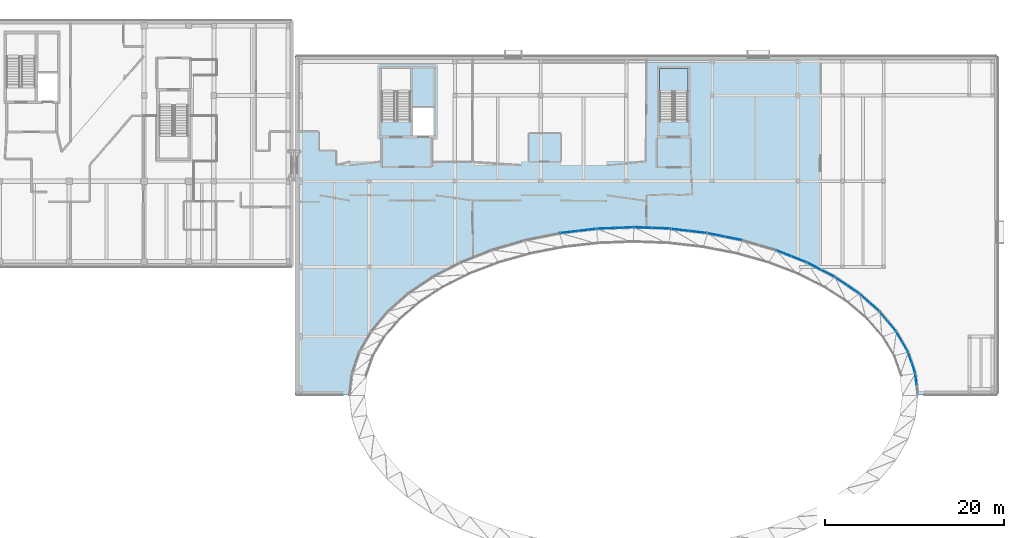
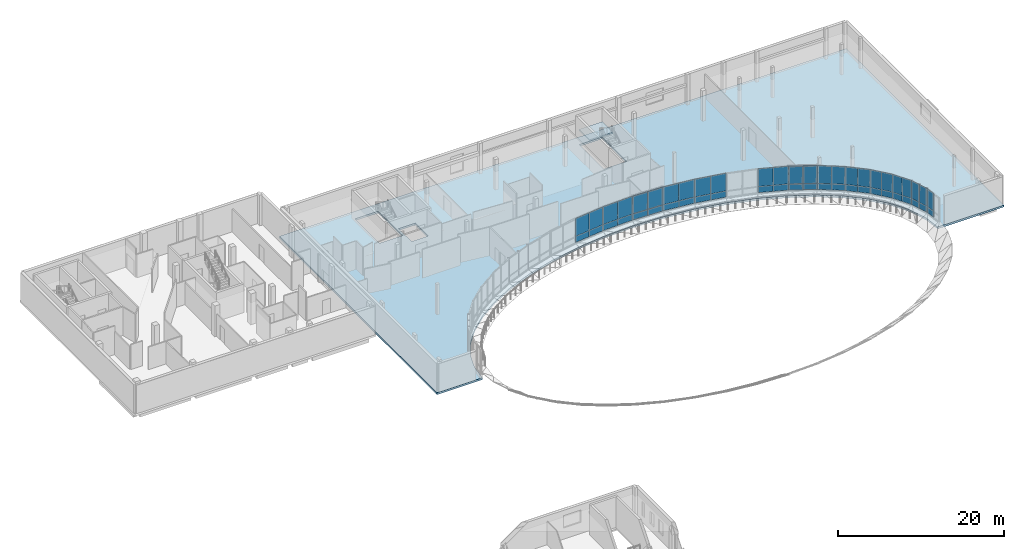
# One storey, part 20 of 41: 50 plates, 2 slabs, 14 elements without a shape of their own.
"""IFC4 building model written with IfcOpenShell, lengths in metres."""

from ifc_helpers import new_model, si_unit, direction, frame, origin, origin_2d, place, context, subcontext, project, spatial, polyline, rectangle, outline, extrude, material, layer, layer_set, type_object, element, aggregate, save


model = new_model("IFC4")

# Units and contexts
model_context = context("Model", 3, precision=1e-05, world=origin(), true_north=direction((0.0, 1.0)))
body_context = subcontext(model_context, "Body", "Model", "MODEL_VIEW")
ifc_project = project(units=[si_unit("LENGTHUNIT", "METRE"), si_unit("AREAUNIT", "SQUARE_METRE"), si_unit("VOLUMEUNIT", "CUBIC_METRE"), si_unit("PLANEANGLEUNIT", "RADIAN"), si_unit("MASSUNIT", "GRAM", prefix="KILO")], contexts=[model_context])

# Site, building, storey
site_placement = place(None, origin())
site = spatial("IfcSite", under=ifc_project, at=site_placement, CompositionType="ELEMENT")
building_placement = place(site_placement, origin())
building = spatial("IfcBuilding", under=site, at=building_placement, Name="Mzevani Central Library", CompositionType="ELEMENT")
storey_placement = place(building_placement, frame((0.0, 0.0, 13.800048828125)))
storey = spatial("IfcBuildingStorey", under=building, at=storey_placement, Name="L03", CompositionType="ELEMENT", Elevation=13.800048828125)

# Curtain wall, plate
ifc_material_1 = material(Name="Thermally broken aluminium and Low-E triple glazing", Category="aluminium")
curtain_wall_type_1 = type_object("IfcCurtainWallType", Name="Reading Hall Northlight Curtain Wall", PredefinedType="NOTDEFINED", material=ifc_material_1)
curtain_wall_1_placement = place(storey_placement, origin())
curtain_wall_1 = element("IfcCurtainWall", 1, at=curtain_wall_1_placement, inside=storey, type_object=curtain_wall_type_1, Name="L03 Elliptical Court Curtain Wall 1", PredefinedType="NOTDEFINED")
ifc_material_2 = material(Name="Thermally broken aluminium AW-6060", Category="aluminium")
ifc_layer_1 = layer(ifc_material_2, 0.0419921875, Name="CW Insulated Spandrel Panel 42")
ifc_layer_set_1 = layer_set([ifc_layer_1], Name="Thermally broken aluminium AW-6060")
plate_type_1 = type_object("IfcPlateType", Name="CW Insulated Spandrel Panel 42", PredefinedType="CURTAIN_PANEL", material=ifc_layer_set_1)
plate_1_placement = place(storey_placement, frame((115.6171875, 77.83056640625, 0.719970703125), z_axis=(0.0, 0.0, 1.0), x_axis=(-0.110579113657, 0.99386732496, 0.0)))
plate_1 = element("IfcPlate", 2, at=plate_1_placement, type_object=plate_type_1, Name="L03 Elliptical Court Curtain Wall 1 Spandrel Panel 3", PredefinedType="CURTAIN_PANEL", context=body_context, shape_type="SweptSolid", body=[
    extrude(rectangle(XDim=1.22216796875, YDim=0.0419921875, at=origin_2d()), origin(), (0.0, 0.0, 1.0), 0.89990234375),
])

# Curtain wall, plates
curtain_wall_type_2 = type_object("IfcCurtainWallType", Name="Elliptical Court Unitised Curtain Wall", PredefinedType="NOTDEFINED", material=ifc_material_1)
curtain_wall_2_placement = place(storey_placement, origin())
curtain_wall_2 = element("IfcCurtainWall", 3, at=curtain_wall_2_placement, inside=storey, type_object=curtain_wall_type_2, Name="L03 Elliptical Court Curtain Wall 2", PredefinedType="NOTDEFINED")
plate_2_placement = place(storey_placement, frame((115.3466796875, 79.052001953125, 0.719970703125), z_axis=(0.0, 0.0, 1.0), x_axis=(-0.31996321005, 0.947429967974, 0.0)))
plate_2 = element("IfcPlate", 4, at=plate_2_placement, type_object=plate_type_1, Name="L03 Elliptical Court Curtain Wall 2 Spandrel Panel 1", PredefinedType="CURTAIN_PANEL", context=body_context, shape_type="SweptSolid", body=[
    extrude(rectangle(XDim=1.260009765625, YDim=0.0419921875, at=origin_2d()), origin(), (0.0, 0.0, 1.0), 0.89990234375),
])
plate_3_placement = place(storey_placement, frame((114.943359375, 80.245849609375, 0.719970703125), z_axis=(0.0, 0.0, 1.0), x_axis=(-0.31996321005, 0.947429967974, 0.0)))
plate_3 = element("IfcPlate", 5, at=plate_3_placement, type_object=plate_type_1, Name="L03 Elliptical Court Curtain Wall 2 Spandrel Panel 3", PredefinedType="CURTAIN_PANEL", context=body_context, shape_type="SweptSolid", body=[
    extrude(rectangle(XDim=1.260009765625, YDim=0.0419921875, at=origin_2d()), origin(), (0.0, 0.0, 1.0), 0.89990234375),
])

curtain_wall_3_placement = place(storey_placement, origin())
curtain_wall_3 = element("IfcCurtainWall", 6, at=curtain_wall_3_placement, inside=storey, type_object=curtain_wall_type_2, Name="L03 Elliptical Court Curtain Wall 3", PredefinedType="NOTDEFINED")
plate_4_placement = place(storey_placement, frame((114.40673828125, 81.436767578125, 0.719970703125), z_axis=(0.0, 0.0, 1.0), x_axis=(-0.499345378011, 0.866403020228, 0.0)))
plate_4 = element("IfcPlate", 7, at=plate_4_placement, type_object=plate_type_1, Name="L03 Elliptical Court Curtain Wall 3 Spandrel Panel 1", PredefinedType="CURTAIN_PANEL", context=body_context, shape_type="SweptSolid", body=[
    extrude(rectangle(XDim=1.330322265625, YDim=0.0419921875, at=origin_2d()), origin(), (0.0, 0.0, 1.0), 0.89990234375),
])
plate_5_placement = place(storey_placement, frame((113.742431640625, 82.58935546875, 0.719970703125), z_axis=(0.0, 0.0, 1.0), x_axis=(-0.499345378011, 0.866403020228, 0.0)))
plate_5 = element("IfcPlate", 8, at=plate_5_placement, type_object=plate_type_1, Name="L03 Elliptical Court Curtain Wall 3 Spandrel Panel 3", PredefinedType="CURTAIN_PANEL", context=body_context, shape_type="SweptSolid", body=[
    extrude(rectangle(XDim=1.330322265625, YDim=0.0419921875, at=origin_2d()), origin(), (0.0, 0.0, 1.0), 0.89990234375),
])

curtain_wall_4_placement = place(storey_placement, origin())
curtain_wall_4 = element("IfcCurtainWall", 9, at=curtain_wall_4_placement, inside=storey, type_object=curtain_wall_type_1, Name="L03 Elliptical Court Curtain Wall 4", PredefinedType="NOTDEFINED")
plate_6_placement = place(storey_placement, frame((112.94873046875, 83.72998046875, 0.719970703125), z_axis=(0.0, 0.0, 1.0), x_axis=(-0.641968999293, 0.766730594111, 0.0)))
plate_6 = element("IfcPlate", 10, at=plate_6_placement, type_object=plate_type_1, Name="L03 Elliptical Court Curtain Wall 4 Spandrel Panel 1", PredefinedType="CURTAIN_PANEL", context=body_context, shape_type="SweptSolid", body=[
    extrude(rectangle(XDim=1.423828125, YDim=0.0419921875, at=origin_2d()), origin(), (0.0, 0.0, 1.0), 0.89990234375),
])
plate_7_placement = place(storey_placement, frame((112.03466796875, 84.821533203125, 0.719970703125), z_axis=(0.0, 0.0, 1.0), x_axis=(-0.641968999293, 0.766730594111, 0.0)))
plate_7 = element("IfcPlate", 11, at=plate_7_placement, type_object=plate_type_1, Name="L03 Elliptical Court Curtain Wall 4 Spandrel Panel 3", PredefinedType="CURTAIN_PANEL", context=body_context, shape_type="SweptSolid", body=[
    extrude(rectangle(XDim=1.423828125, YDim=0.0419921875, at=origin_2d()), origin(), (0.0, 0.0, 1.0), 0.89990234375),
])

curtain_wall_5_placement = place(storey_placement, origin())
curtain_wall_5 = element("IfcCurtainWall", 12, at=curtain_wall_5_placement, inside=storey, type_object=curtain_wall_type_2, Name="L03 Elliptical Court Curtain Wall 5", PredefinedType="NOTDEFINED")
plate_8_placement = place(storey_placement, frame((110.9970703125, 85.892822265625, 0.719970703125), z_axis=(0.0, 0.0, 1.0), x_axis=(-0.750151465474, 0.661266042412, 0.0)))
plate_8 = element("IfcPlate", 13, at=plate_8_placement, type_object=plate_type_1, Name="L03 Elliptical Court Curtain Wall 5 Spandrel Panel 1", PredefinedType="CURTAIN_PANEL", context=body_context, shape_type="SweptSolid", body=[
    extrude(rectangle(XDim=1.530517578125, YDim=0.0419921875, at=origin_2d()), origin(), (0.0, 0.0, 1.0), 0.89990234375),
])
plate_9_placement = place(storey_placement, frame((109.848876953125, 86.905029296875, 0.719970703125), z_axis=(0.0, 0.0, 1.0), x_axis=(-0.750151465474, 0.661266042412, 0.0)))
plate_9 = element("IfcPlate", 14, at=plate_9_placement, type_object=plate_type_1, Name="L03 Elliptical Court Curtain Wall 5 Spandrel Panel 3", PredefinedType="CURTAIN_PANEL", context=body_context, shape_type="SweptSolid", body=[
    extrude(rectangle(XDim=1.530517578125, YDim=0.0419921875, at=origin_2d()), origin(), (0.0, 0.0, 1.0), 0.89990234375),
])

curtain_wall_6_placement = place(storey_placement, origin())
curtain_wall_6 = element("IfcCurtainWall", 15, at=curtain_wall_6_placement, inside=storey, type_object=curtain_wall_type_2, Name="L03 Elliptical Court Curtain Wall 6", PredefinedType="NOTDEFINED")
plate_10_placement = place(storey_placement, frame((108.583984375, 87.888916015625, 0.719970703125), z_axis=(0.0, 0.0, 1.0), x_axis=(-0.830137838959, 0.557558219676, 0.0)))
plate_10 = element("IfcPlate", 16, at=plate_10_placement, type_object=plate_type_1, Name="L03 Elliptical Court Curtain Wall 6 Spandrel Panel 1", PredefinedType="CURTAIN_PANEL", context=body_context, shape_type="SweptSolid", body=[
    extrude(rectangle(XDim=1.6416015625, YDim=0.0419921875, at=origin_2d()), origin(), (0.0, 0.0, 1.0), 0.89990234375),
])
plate_11_placement = place(storey_placement, frame((107.221435546875, 88.80419921875, 0.719970703125), z_axis=(0.0, 0.0, 1.0), x_axis=(-0.830137838959, 0.557558219676, 0.0)))
plate_11 = element("IfcPlate", 17, at=plate_11_placement, type_object=plate_type_1, Name="L03 Elliptical Court Curtain Wall 6 Spandrel Panel 3", PredefinedType="CURTAIN_PANEL", context=body_context, shape_type="SweptSolid", body=[
    extrude(rectangle(XDim=1.6416015625, YDim=0.0419921875, at=origin_2d()), origin(), (0.0, 0.0, 1.0), 0.89990234375),
])

curtain_wall_7_placement = place(storey_placement, origin())
curtain_wall_7 = element("IfcCurtainWall", 18, at=curtain_wall_7_placement, inside=storey, type_object=curtain_wall_type_1, Name="L03 Elliptical Court Curtain Wall 7", PredefinedType="NOTDEFINED")
plate_12_placement = place(storey_placement, frame((105.750244140625, 89.684814453125, 0.719970703125), z_axis=(0.0, 0.0, 1.0), x_axis=(-0.888465890854, 0.458942655229, 0.0)))
plate_12 = element("IfcPlate", 19, at=plate_12_placement, type_object=plate_type_1, Name="L03 Elliptical Court Curtain Wall 7 Spandrel Panel 1", PredefinedType="CURTAIN_PANEL", context=body_context, shape_type="SweptSolid", body=[
    extrude(rectangle(XDim=1.748779296875, YDim=0.0419921875, at=origin_2d()), origin(), (0.0, 0.0, 1.0), 0.89990234375),
])
plate_13_placement = place(storey_placement, frame((104.196533203125, 90.487548828125, 0.719970703125), z_axis=(0.0, 0.0, 1.0), x_axis=(-0.888465890854, 0.458942655229, 0.0)))
plate_13 = element("IfcPlate", 20, at=plate_13_placement, type_object=plate_type_1, Name="L03 Elliptical Court Curtain Wall 7 Spandrel Panel 3", PredefinedType="CURTAIN_PANEL", context=body_context, shape_type="SweptSolid", body=[
    extrude(rectangle(XDim=1.748779296875, YDim=0.0419921875, at=origin_2d()), origin(), (0.0, 0.0, 1.0), 0.89990234375),
])

curtain_wall_8_placement = place(storey_placement, origin())
curtain_wall_8 = element("IfcCurtainWall", 21, at=curtain_wall_8_placement, inside=storey, type_object=curtain_wall_type_2, Name="L03 Elliptical Court Curtain Wall 8", PredefinedType="NOTDEFINED")
plate_14_placement = place(storey_placement, frame((102.542724609375, 91.249755859375, 0.719970703125), z_axis=(0.0, 0.0, 1.0), x_axis=(-0.930531383506, 0.366212157513, 0.0)))
plate_14 = element("IfcPlate", 22, at=plate_14_placement, type_object=plate_type_1, Name="L03 Elliptical Court Curtain Wall 8 Spandrel Panel 1", PredefinedType="CURTAIN_PANEL", context=body_context, shape_type="SweptSolid", body=[
    extrude(rectangle(XDim=1.8466796875, YDim=0.0419921875, at=origin_2d()), origin(), (0.0, 0.0, 1.0), 0.89990234375),
])
plate_15_placement = place(storey_placement, frame((100.82421875, 91.926025390625, 0.719970703125), z_axis=(0.0, 0.0, 1.0), x_axis=(-0.930531383506, 0.366212157513, 0.0)))
plate_15 = element("IfcPlate", 23, at=plate_15_placement, type_object=plate_type_1, Name="L03 Elliptical Court Curtain Wall 8 Spandrel Panel 3", PredefinedType="CURTAIN_PANEL", context=body_context, shape_type="SweptSolid", body=[
    extrude(rectangle(XDim=1.8466796875, YDim=0.0419921875, at=origin_2d()), origin(), (0.0, 0.0, 1.0), 0.89990234375),
])

curtain_wall_9_placement = place(storey_placement, origin())
curtain_wall_9 = element("IfcCurtainWall", 24, at=curtain_wall_9_placement, inside=storey, type_object=curtain_wall_type_1, Name="L03 Elliptical Court Curtain Wall 10", PredefinedType="NOTDEFINED")
plate_16_placement = place(storey_placement, frame((95.22412109375, 93.581787109375, 0.719970703125), z_axis=(0.0, 0.0, 1.0), x_axis=(-0.980591396284, 0.196062524553, 0.0)))
plate_16 = element("IfcPlate", 25, at=plate_16_placement, type_object=plate_type_1, Name="L03 Elliptical Court Curtain Wall 10 Spandrel Panel 1", PredefinedType="CURTAIN_PANEL", context=body_context, shape_type="SweptSolid", body=[
    extrude(rectangle(XDim=1.995849609375, YDim=0.0419921875, at=origin_2d()), origin(), (0.0, 0.0, 1.0), 0.89990234375),
])
plate_17_placement = place(storey_placement, frame((93.26708984375, 93.97314453125, 0.719970703125), z_axis=(0.0, 0.0, 1.0), x_axis=(-0.980591396284, 0.196062524553, 0.0)))
plate_17 = element("IfcPlate", 26, at=plate_17_placement, type_object=plate_type_1, Name="L03 Elliptical Court Curtain Wall 10 Spandrel Panel 3", PredefinedType="CURTAIN_PANEL", context=body_context, shape_type="SweptSolid", body=[
    extrude(rectangle(XDim=1.995849609375, YDim=0.0419921875, at=origin_2d()), origin(), (0.0, 0.0, 1.0), 0.89990234375),
])

curtain_wall_10_placement = place(storey_placement, origin())
curtain_wall_10 = element("IfcCurtainWall", 27, at=curtain_wall_10_placement, inside=storey, type_object=curtain_wall_type_2, Name="L03 Elliptical Court Curtain Wall 11", PredefinedType="NOTDEFINED")
plate_18_placement = place(storey_placement, frame((91.235595703125, 94.30517578125, 0.719970703125), z_axis=(0.0, 0.0, 1.0), x_axis=(-0.99320603516, 0.116369118421, 0.0)))
plate_18 = element("IfcPlate", 28, at=plate_18_placement, type_object=plate_type_1, Name="L03 Elliptical Court Curtain Wall 11 Spandrel Panel 1", PredefinedType="CURTAIN_PANEL", context=body_context, shape_type="SweptSolid", body=[
    extrude(rectangle(XDim=2.041015625, YDim=0.0419921875, at=origin_2d()), origin(), (0.0, 0.0, 1.0), 0.89990234375),
])
plate_19_placement = place(storey_placement, frame((89.20849609375, 94.542724609375, 0.719970703125), z_axis=(0.0, 0.0, 1.0), x_axis=(-0.99320603516, 0.116369118421, 0.0)))
plate_19 = element("IfcPlate", 29, at=plate_19_placement, type_object=plate_type_1, Name="L03 Elliptical Court Curtain Wall 11 Spandrel Panel 3", PredefinedType="CURTAIN_PANEL", context=body_context, shape_type="SweptSolid", body=[
    extrude(rectangle(XDim=2.041015625, YDim=0.0419921875, at=origin_2d()), origin(), (0.0, 0.0, 1.0), 0.89990234375),
])

curtain_wall_11_placement = place(storey_placement, origin())
curtain_wall_11 = element("IfcCurtainWall", 30, at=curtain_wall_11_placement, inside=storey, type_object=curtain_wall_type_2, Name="L03 Elliptical Court Curtain Wall 12", PredefinedType="NOTDEFINED")
plate_20_placement = place(storey_placement, frame((87.117919921875, 94.71142578125, 0.719970703125), z_axis=(0.0, 0.0, 1.0), x_axis=(-0.999255056651, 0.038591861293, 0.0)))
plate_20 = element("IfcPlate", 31, at=plate_20_placement, type_object=plate_type_1, Name="L03 Elliptical Court Curtain Wall 12 Spandrel Panel 1", PredefinedType="CURTAIN_PANEL", context=body_context, shape_type="SweptSolid", body=[
    extrude(rectangle(XDim=2.06396484375, YDim=0.0419921875, at=origin_2d()), origin(), (0.0, 0.0, 1.0), 0.89990234375),
])
plate_21_placement = place(storey_placement, frame((85.055419921875, 94.791259765625, 0.719970703125), z_axis=(0.0, 0.0, 1.0), x_axis=(-0.999255056651, 0.038591861293, 0.0)))
plate_21 = element("IfcPlate", 32, at=plate_21_placement, type_object=plate_type_1, Name="L03 Elliptical Court Curtain Wall 12 Spandrel Panel 3", PredefinedType="CURTAIN_PANEL", context=body_context, shape_type="SweptSolid", body=[
    extrude(rectangle(XDim=2.06396484375, YDim=0.0419921875, at=origin_2d()), origin(), (0.0, 0.0, 1.0), 0.89990234375),
])

curtain_wall_12_placement = place(storey_placement, origin())
curtain_wall_12 = element("IfcCurtainWall", 33, at=curtain_wall_12_placement, inside=storey, type_object=curtain_wall_type_1, Name="L03 Elliptical Court Curtain Wall 13", PredefinedType="NOTDEFINED")
plate_22_placement = place(storey_placement, frame((82.944580078125, 94.791259765625, 0.719970703125), z_axis=(0.0, 0.0, 1.0), x_axis=(-0.999255056651, -0.038591861293, 0.0)))
plate_22 = element("IfcPlate", 34, at=plate_22_placement, type_object=plate_type_1, Name="L03 Elliptical Court Curtain Wall 13 Spandrel Panel 1", PredefinedType="CURTAIN_PANEL", context=body_context, shape_type="SweptSolid", body=[
    extrude(rectangle(XDim=2.06396484375, YDim=0.0419921875, at=origin_2d()), origin(), (0.0, 0.0, 1.0), 0.89990234375),
])
plate_23_placement = place(storey_placement, frame((80.882080078125, 94.71142578125, 0.719970703125), z_axis=(0.0, 0.0, 1.0), x_axis=(-0.999255056651, -0.038591861293, 0.0)))
plate_23 = element("IfcPlate", 35, at=plate_23_placement, type_object=plate_type_1, Name="L03 Elliptical Court Curtain Wall 13 Spandrel Panel 3", PredefinedType="CURTAIN_PANEL", context=body_context, shape_type="SweptSolid", body=[
    extrude(rectangle(XDim=2.06396484375, YDim=0.0419921875, at=origin_2d()), origin(), (0.0, 0.0, 1.0), 0.89990234375),
])

curtain_wall_13_placement = place(storey_placement, origin())
curtain_wall_13 = element("IfcCurtainWall", 36, at=curtain_wall_13_placement, inside=storey, type_object=curtain_wall_type_2, Name="L03 Elliptical Court Curtain Wall 14", PredefinedType="NOTDEFINED")
plate_24_placement = place(storey_placement, frame((78.79150390625, 94.542724609375, 0.719970703125), z_axis=(0.0, 0.0, 1.0), x_axis=(-0.99320603516, -0.116369118421, 0.0)))
plate_24 = element("IfcPlate", 37, at=plate_24_placement, type_object=plate_type_1, Name="L03 Elliptical Court Curtain Wall 14 Spandrel Panel 1", PredefinedType="CURTAIN_PANEL", context=body_context, shape_type="SweptSolid", body=[
    extrude(rectangle(XDim=2.041015625, YDim=0.0419921875, at=origin_2d()), origin(), (0.0, 0.0, 1.0), 0.89990234375),
])
plate_25_placement = place(storey_placement, frame((76.764404296875, 94.30517578125, 0.719970703125), z_axis=(0.0, 0.0, 1.0), x_axis=(-0.99320603516, -0.116369118421, 0.0)))
plate_25 = element("IfcPlate", 38, at=plate_25_placement, type_object=plate_type_1, Name="L03 Elliptical Court Curtain Wall 14 Spandrel Panel 3", PredefinedType="CURTAIN_PANEL", context=body_context, shape_type="SweptSolid", body=[
    extrude(rectangle(XDim=2.041015625, YDim=0.0419921875, at=origin_2d()), origin(), (0.0, 0.0, 1.0), 0.89990234375),
])

# Plate
ifc_material_3 = material(Name="Low-E triple glazing glass", Category="glass")
ifc_layer_2 = layer(ifc_material_3, 0.028076171875, Name="CW Triple Glazed Vision Panel 28")
ifc_layer_set_2 = layer_set([ifc_layer_2], Name="Low-E triple glazing glass")
plate_type_2 = type_object("IfcPlateType", Name="CW Triple Glazed Vision Panel 28", PredefinedType="CURTAIN_PANEL", material=ifc_layer_set_2)
plate_26_placement = place(storey_placement, frame((115.6171875, 77.83056640625, 1.619873046875), z_axis=(0.0, 0.0, 1.0), x_axis=(-0.110579113657, 0.99386732496, 0.0)))
plate_26 = element("IfcPlate", 39, at=plate_26_placement, type_object=plate_type_2, Name="L03 Elliptical Court Curtain Wall 1 Vision Panel 4", PredefinedType="CURTAIN_PANEL", context=body_context, shape_type="SweptSolid", body=[
    extrude(rectangle(XDim=1.22216796875, YDim=0.028076171875, at=origin_2d()), origin(), (0.0, 0.0, 1.0), 2.60009765625),
])

aggregate(curtain_wall_1, [plate_1, plate_26])

plate_27_placement = place(storey_placement, frame((115.3466796875, 79.052001953125, 1.619873046875), z_axis=(0.0, 0.0, 1.0), x_axis=(-0.31996321005, 0.947429967974, 0.0)))
plate_27 = element("IfcPlate", 40, at=plate_27_placement, type_object=plate_type_2, Name="L03 Elliptical Court Curtain Wall 2 Vision Panel 2", PredefinedType="CURTAIN_PANEL", context=body_context, shape_type="SweptSolid", body=[
    extrude(rectangle(XDim=1.260009765625, YDim=0.028076171875, at=origin_2d()), origin(), (0.0, 0.0, 1.0), 2.60009765625),
])

plate_28_placement = place(storey_placement, frame((114.943359375, 80.245849609375, 1.619873046875), z_axis=(0.0, 0.0, 1.0), x_axis=(-0.31996321005, 0.947429967974, 0.0)))
plate_28 = element("IfcPlate", 41, at=plate_28_placement, type_object=plate_type_2, Name="L03 Elliptical Court Curtain Wall 2 Vision Panel 4", PredefinedType="CURTAIN_PANEL", context=body_context, shape_type="SweptSolid", body=[
    extrude(rectangle(XDim=1.260009765625, YDim=0.028076171875, at=origin_2d()), origin(), (0.0, 0.0, 1.0), 2.60009765625),
])

aggregate(curtain_wall_2, [plate_2, plate_27, plate_3, plate_28])

plate_29_placement = place(storey_placement, frame((114.40673828125, 81.436767578125, 1.619873046875), z_axis=(0.0, 0.0, 1.0), x_axis=(-0.499345378011, 0.866403020228, 0.0)))
plate_29 = element("IfcPlate", 42, at=plate_29_placement, type_object=plate_type_2, Name="L03 Elliptical Court Curtain Wall 3 Vision Panel 2", PredefinedType="CURTAIN_PANEL", context=body_context, shape_type="SweptSolid", body=[
    extrude(rectangle(XDim=1.330322265625, YDim=0.028076171875, at=origin_2d()), origin(), (0.0, 0.0, 1.0), 2.60009765625),
])

plate_30_placement = place(storey_placement, frame((113.742431640625, 82.58935546875, 1.619873046875), z_axis=(0.0, 0.0, 1.0), x_axis=(-0.499345378011, 0.866403020228, 0.0)))
plate_30 = element("IfcPlate", 43, at=plate_30_placement, type_object=plate_type_2, Name="L03 Elliptical Court Curtain Wall 3 Vision Panel 4", PredefinedType="CURTAIN_PANEL", context=body_context, shape_type="SweptSolid", body=[
    extrude(rectangle(XDim=1.330322265625, YDim=0.028076171875, at=origin_2d()), origin(), (0.0, 0.0, 1.0), 2.60009765625),
])

aggregate(curtain_wall_3, [plate_4, plate_29, plate_5, plate_30])

plate_31_placement = place(storey_placement, frame((112.94873046875, 83.72998046875, 1.619873046875), z_axis=(0.0, 0.0, 1.0), x_axis=(-0.641968999293, 0.766730594111, 0.0)))
plate_31 = element("IfcPlate", 44, at=plate_31_placement, type_object=plate_type_2, Name="L03 Elliptical Court Curtain Wall 4 Vision Panel 2", PredefinedType="CURTAIN_PANEL", context=body_context, shape_type="SweptSolid", body=[
    extrude(rectangle(XDim=1.423828125, YDim=0.028076171875, at=origin_2d()), origin(), (0.0, 0.0, 1.0), 2.60009765625),
])

plate_32_placement = place(storey_placement, frame((112.03466796875, 84.821533203125, 1.619873046875), z_axis=(0.0, 0.0, 1.0), x_axis=(-0.641968999293, 0.766730594111, 0.0)))
plate_32 = element("IfcPlate", 45, at=plate_32_placement, type_object=plate_type_2, Name="L03 Elliptical Court Curtain Wall 4 Vision Panel 4", PredefinedType="CURTAIN_PANEL", context=body_context, shape_type="SweptSolid", body=[
    extrude(rectangle(XDim=1.423828125, YDim=0.028076171875, at=origin_2d()), origin(), (0.0, 0.0, 1.0), 2.60009765625),
])

aggregate(curtain_wall_4, [plate_6, plate_31, plate_7, plate_32])

plate_33_placement = place(storey_placement, frame((110.9970703125, 85.892822265625, 1.619873046875), z_axis=(0.0, 0.0, 1.0), x_axis=(-0.750151465474, 0.661266042412, 0.0)))
plate_33 = element("IfcPlate", 46, at=plate_33_placement, type_object=plate_type_2, Name="L03 Elliptical Court Curtain Wall 5 Vision Panel 2", PredefinedType="CURTAIN_PANEL", context=body_context, shape_type="SweptSolid", body=[
    extrude(rectangle(XDim=1.530517578125, YDim=0.028076171875, at=origin_2d()), origin(), (0.0, 0.0, 1.0), 2.60009765625),
])

plate_34_placement = place(storey_placement, frame((109.848876953125, 86.905029296875, 1.619873046875), z_axis=(0.0, 0.0, 1.0), x_axis=(-0.750151465474, 0.661266042412, 0.0)))
plate_34 = element("IfcPlate", 47, at=plate_34_placement, type_object=plate_type_2, Name="L03 Elliptical Court Curtain Wall 5 Vision Panel 4", PredefinedType="CURTAIN_PANEL", context=body_context, shape_type="SweptSolid", body=[
    extrude(rectangle(XDim=1.530517578125, YDim=0.028076171875, at=origin_2d()), origin(), (0.0, 0.0, 1.0), 2.60009765625),
])

aggregate(curtain_wall_5, [plate_8, plate_33, plate_9, plate_34])

plate_35_placement = place(storey_placement, frame((108.583984375, 87.888916015625, 1.619873046875), z_axis=(0.0, 0.0, 1.0), x_axis=(-0.830137838959, 0.557558219676, 0.0)))
plate_35 = element("IfcPlate", 48, at=plate_35_placement, type_object=plate_type_2, Name="L03 Elliptical Court Curtain Wall 6 Vision Panel 2", PredefinedType="CURTAIN_PANEL", context=body_context, shape_type="SweptSolid", body=[
    extrude(rectangle(XDim=1.6416015625, YDim=0.028076171875, at=origin_2d()), origin(), (0.0, 0.0, 1.0), 2.60009765625),
])

plate_36_placement = place(storey_placement, frame((107.221435546875, 88.80419921875, 1.619873046875), z_axis=(0.0, 0.0, 1.0), x_axis=(-0.830137838959, 0.557558219676, 0.0)))
plate_36 = element("IfcPlate", 49, at=plate_36_placement, type_object=plate_type_2, Name="L03 Elliptical Court Curtain Wall 6 Vision Panel 4", PredefinedType="CURTAIN_PANEL", context=body_context, shape_type="SweptSolid", body=[
    extrude(rectangle(XDim=1.6416015625, YDim=0.028076171875, at=origin_2d()), origin(), (0.0, 0.0, 1.0), 2.60009765625),
])

aggregate(curtain_wall_6, [plate_10, plate_35, plate_11, plate_36])

plate_37_placement = place(storey_placement, frame((105.750244140625, 89.684814453125, 1.619873046875), z_axis=(0.0, 0.0, 1.0), x_axis=(-0.888465890854, 0.458942655229, 0.0)))
plate_37 = element("IfcPlate", 50, at=plate_37_placement, type_object=plate_type_2, Name="L03 Elliptical Court Curtain Wall 7 Vision Panel 2", PredefinedType="CURTAIN_PANEL", context=body_context, shape_type="SweptSolid", body=[
    extrude(rectangle(XDim=1.748779296875, YDim=0.028076171875, at=origin_2d()), origin(), (0.0, 0.0, 1.0), 2.60009765625),
])

plate_38_placement = place(storey_placement, frame((104.196533203125, 90.487548828125, 1.619873046875), z_axis=(0.0, 0.0, 1.0), x_axis=(-0.888465890854, 0.458942655229, 0.0)))
plate_38 = element("IfcPlate", 51, at=plate_38_placement, type_object=plate_type_2, Name="L03 Elliptical Court Curtain Wall 7 Vision Panel 4", PredefinedType="CURTAIN_PANEL", context=body_context, shape_type="SweptSolid", body=[
    extrude(rectangle(XDim=1.748779296875, YDim=0.028076171875, at=origin_2d()), origin(), (0.0, 0.0, 1.0), 2.60009765625),
])

aggregate(curtain_wall_7, [plate_12, plate_37, plate_13, plate_38])

plate_39_placement = place(storey_placement, frame((102.542724609375, 91.249755859375, 1.619873046875), z_axis=(0.0, 0.0, 1.0), x_axis=(-0.930531383506, 0.366212157513, 0.0)))
plate_39 = element("IfcPlate", 52, at=plate_39_placement, type_object=plate_type_2, Name="L03 Elliptical Court Curtain Wall 8 Vision Panel 2", PredefinedType="CURTAIN_PANEL", context=body_context, shape_type="SweptSolid", body=[
    extrude(rectangle(XDim=1.8466796875, YDim=0.028076171875, at=origin_2d()), origin(), (0.0, 0.0, 1.0), 2.60009765625),
])

plate_40_placement = place(storey_placement, frame((100.82421875, 91.926025390625, 1.619873046875), z_axis=(0.0, 0.0, 1.0), x_axis=(-0.930531383506, 0.366212157513, 0.0)))
plate_40 = element("IfcPlate", 53, at=plate_40_placement, type_object=plate_type_2, Name="L03 Elliptical Court Curtain Wall 8 Vision Panel 4", PredefinedType="CURTAIN_PANEL", context=body_context, shape_type="SweptSolid", body=[
    extrude(rectangle(XDim=1.8466796875, YDim=0.028076171875, at=origin_2d()), origin(), (0.0, 0.0, 1.0), 2.60009765625),
])

aggregate(curtain_wall_8, [plate_14, plate_39, plate_15, plate_40])

plate_41_placement = place(storey_placement, frame((95.22412109375, 93.581787109375, 1.619873046875), z_axis=(0.0, 0.0, 1.0), x_axis=(-0.980591396284, 0.196062524553, 0.0)))
plate_41 = element("IfcPlate", 54, at=plate_41_placement, type_object=plate_type_2, Name="L03 Elliptical Court Curtain Wall 10 Vision Panel 2", PredefinedType="CURTAIN_PANEL", context=body_context, shape_type="SweptSolid", body=[
    extrude(rectangle(XDim=1.995849609375, YDim=0.028076171875, at=origin_2d()), origin(), (0.0, 0.0, 1.0), 2.60009765625),
])

plate_42_placement = place(storey_placement, frame((93.26708984375, 93.97314453125, 1.619873046875), z_axis=(0.0, 0.0, 1.0), x_axis=(-0.980591396284, 0.196062524553, 0.0)))
plate_42 = element("IfcPlate", 55, at=plate_42_placement, type_object=plate_type_2, Name="L03 Elliptical Court Curtain Wall 10 Vision Panel 4", PredefinedType="CURTAIN_PANEL", context=body_context, shape_type="SweptSolid", body=[
    extrude(rectangle(XDim=1.995849609375, YDim=0.028076171875, at=origin_2d()), origin(), (0.0, 0.0, 1.0), 2.60009765625),
])

aggregate(curtain_wall_9, [plate_16, plate_41, plate_17, plate_42])

plate_43_placement = place(storey_placement, frame((91.235595703125, 94.30517578125, 1.619873046875), z_axis=(0.0, 0.0, 1.0), x_axis=(-0.99320603516, 0.116369118421, 0.0)))
plate_43 = element("IfcPlate", 56, at=plate_43_placement, type_object=plate_type_2, Name="L03 Elliptical Court Curtain Wall 11 Vision Panel 2", PredefinedType="CURTAIN_PANEL", context=body_context, shape_type="SweptSolid", body=[
    extrude(rectangle(XDim=2.041015625, YDim=0.028076171875, at=origin_2d()), origin(), (0.0, 0.0, 1.0), 2.60009765625),
])

plate_44_placement = place(storey_placement, frame((89.20849609375, 94.542724609375, 1.619873046875), z_axis=(0.0, 0.0, 1.0), x_axis=(-0.99320603516, 0.116369118421, 0.0)))
plate_44 = element("IfcPlate", 57, at=plate_44_placement, type_object=plate_type_2, Name="L03 Elliptical Court Curtain Wall 11 Vision Panel 4", PredefinedType="CURTAIN_PANEL", context=body_context, shape_type="SweptSolid", body=[
    extrude(rectangle(XDim=2.041015625, YDim=0.028076171875, at=origin_2d()), origin(), (0.0, 0.0, 1.0), 2.60009765625),
])

aggregate(curtain_wall_10, [plate_18, plate_43, plate_19, plate_44])

plate_45_placement = place(storey_placement, frame((87.117919921875, 94.71142578125, 1.619873046875), z_axis=(0.0, 0.0, 1.0), x_axis=(-0.999255056651, 0.038591861293, 0.0)))
plate_45 = element("IfcPlate", 58, at=plate_45_placement, type_object=plate_type_2, Name="L03 Elliptical Court Curtain Wall 12 Vision Panel 2", PredefinedType="CURTAIN_PANEL", context=body_context, shape_type="SweptSolid", body=[
    extrude(rectangle(XDim=2.06396484375, YDim=0.028076171875, at=origin_2d()), origin(), (0.0, 0.0, 1.0), 2.60009765625),
])

plate_46_placement = place(storey_placement, frame((85.055419921875, 94.791259765625, 1.619873046875), z_axis=(0.0, 0.0, 1.0), x_axis=(-0.999255056651, 0.038591861293, 0.0)))
plate_46 = element("IfcPlate", 59, at=plate_46_placement, type_object=plate_type_2, Name="L03 Elliptical Court Curtain Wall 12 Vision Panel 4", PredefinedType="CURTAIN_PANEL", context=body_context, shape_type="SweptSolid", body=[
    extrude(rectangle(XDim=2.06396484375, YDim=0.028076171875, at=origin_2d()), origin(), (0.0, 0.0, 1.0), 2.60009765625),
])

aggregate(curtain_wall_11, [plate_20, plate_45, plate_21, plate_46])

plate_47_placement = place(storey_placement, frame((82.944580078125, 94.791259765625, 1.619873046875), z_axis=(0.0, 0.0, 1.0), x_axis=(-0.999255056651, -0.038591861293, 0.0)))
plate_47 = element("IfcPlate", 60, at=plate_47_placement, type_object=plate_type_2, Name="L03 Elliptical Court Curtain Wall 13 Vision Panel 2", PredefinedType="CURTAIN_PANEL", context=body_context, shape_type="SweptSolid", body=[
    extrude(rectangle(XDim=2.06396484375, YDim=0.028076171875, at=origin_2d()), origin(), (0.0, 0.0, 1.0), 2.60009765625),
])

plate_48_placement = place(storey_placement, frame((80.882080078125, 94.71142578125, 1.619873046875), z_axis=(0.0, 0.0, 1.0), x_axis=(-0.999255056651, -0.038591861293, 0.0)))
plate_48 = element("IfcPlate", 61, at=plate_48_placement, type_object=plate_type_2, Name="L03 Elliptical Court Curtain Wall 13 Vision Panel 4", PredefinedType="CURTAIN_PANEL", context=body_context, shape_type="SweptSolid", body=[
    extrude(rectangle(XDim=2.06396484375, YDim=0.028076171875, at=origin_2d()), origin(), (0.0, 0.0, 1.0), 2.60009765625),
])

aggregate(curtain_wall_12, [plate_22, plate_47, plate_23, plate_48])

plate_49_placement = place(storey_placement, frame((78.79150390625, 94.542724609375, 1.619873046875), z_axis=(0.0, 0.0, 1.0), x_axis=(-0.99320603516, -0.116369118421, 0.0)))
plate_49 = element("IfcPlate", 62, at=plate_49_placement, type_object=plate_type_2, Name="L03 Elliptical Court Curtain Wall 14 Vision Panel 2", PredefinedType="CURTAIN_PANEL", context=body_context, shape_type="SweptSolid", body=[
    extrude(rectangle(XDim=2.041015625, YDim=0.028076171875, at=origin_2d()), origin(), (0.0, 0.0, 1.0), 2.60009765625),
])

plate_50_placement = place(storey_placement, frame((76.764404296875, 94.30517578125, 1.619873046875), z_axis=(0.0, 0.0, 1.0), x_axis=(-0.99320603516, -0.116369118421, 0.0)))
plate_50 = element("IfcPlate", 63, at=plate_50_placement, type_object=plate_type_2, Name="L03 Elliptical Court Curtain Wall 14 Vision Panel 4", PredefinedType="CURTAIN_PANEL", context=body_context, shape_type="SweptSolid", body=[
    extrude(rectangle(XDim=2.041015625, YDim=0.028076171875, at=origin_2d()), origin(), (0.0, 0.0, 1.0), 2.60009765625),
])

aggregate(curtain_wall_13, [plate_24, plate_49, plate_25, plate_50])

# Slab
ifc_material_4 = material(Name="Concrete C35/45", Category="concrete")
ifc_layer_3 = layer(ifc_material_4, 0.280029296875, Name="Open Stack Floor Slab 280")
ifc_layer_set_3 = layer_set([ifc_layer_3], Name="Concrete C35/45")
slab_type_1 = type_object("IfcSlabType", Name="Open Stack Floor Slab 280", PredefinedType="FLOOR", material=ifc_layer_set_3)
slab_1_placement = place(storey_placement, frame((0.0, 0.0, -0.280029296875)))
element("IfcSlab", 64, at=slab_1_placement, inside=storey, type_object=slab_type_1, Name="L03 V3 Structural Slab FS-03", PredefinedType="FLOOR", context=body_context, shape_type="SweptSolid", body=[
    extrude(outline(polyline([(46.10009765625, 76.10009765625), (46.10009765625, 114.0), (124.800048828125, 114.0), (124.800048828125, 76.10009765625), (115.5888671875, 76.10009765625), (115.32958984375, 78.429443359375), (114.523193359375, 80.817138671875), (113.194580078125, 83.12255859375), (111.366455078125, 85.30615234375), (109.070068359375, 87.33056640625), (106.344482421875, 89.160888671875), (103.23681640625, 90.76611328125), (99.800048828125, 92.11865234375), (96.0927734375, 93.195556640625), (92.1787109375, 93.97802734375), (88.12451171875, 94.453125), (84.0, 94.6123046875), (79.87548828125, 94.453125), (75.8212890625, 93.97802734375), (71.9072265625, 93.195556640625), (68.199951171875, 92.11865234375), (64.76318359375, 90.76611328125), (61.655517578125, 89.160888671875), (58.929931640625, 87.33056640625), (56.633544921875, 85.30615234375), (54.805419921875, 83.12255859375), (53.476806640625, 80.817138671875), (52.67041015625, 78.429443359375), (52.4111328125, 76.10009765625), (46.10009765625, 76.10009765625)]), holes=[polyline([(59.0, 106.699951171875), (59.0, 112.60009765625), (55.800048828125, 112.60009765625), (55.800048828125, 106.699951171875), (59.0, 106.699951171875)]), polyline([(59.300048828125, 105.10009765625), (61.60009765625, 105.10009765625), (61.60009765625, 108.199951171875), (59.300048828125, 108.199951171875), (59.300048828125, 105.10009765625)]), polyline([(90.10009765625, 106.699951171875), (90.10009765625, 112.60009765625), (86.89990234375, 112.60009765625), (86.89990234375, 106.699951171875), (90.10009765625, 106.699951171875)])]), origin(), (0.0, 0.0, 1.0), 0.280029296875),
])

# Stair, slab
stair_type = type_object("IfcStairType", Name="Dogleg Exit Stair 173x280", PredefinedType="HALF_TURN_STAIR", material=ifc_material_4)
stair_placement = place(storey_placement, origin())
stair = element("IfcStair", 65, at=stair_placement, inside=storey, type_object=stair_type, Name="L03 Core C3B Atrium East Escape Stair Exit Stair ST-03", PredefinedType="HALF_TURN_STAIR")
ifc_layer_4 = layer(ifc_material_4, 0.199951171875, Name="Stair Landing Slab 200")
ifc_layer_set_4 = layer_set([ifc_layer_4], Name="Concrete C35/45")
slab_type_2 = type_object("IfcSlabType", Name="Stair Landing Slab 200", PredefinedType="LANDING", material=ifc_layer_set_4)
slab_2_placement = place(storey_placement, frame((0.0, 0.0, 2.050048828125)))
slab_2 = element("IfcSlab", 66, at=slab_2_placement, type_object=slab_type_2, Name="ST-06 landing 1", PredefinedType="LANDING", context=body_context, shape_type="SweptSolid", body=[
    extrude(outline(polyline([(90.10009765625, 110.06005859375), (90.10009765625, 112.60009765625), (86.89990234375, 112.60009765625), (86.89990234375, 110.06005859375), (90.10009765625, 110.06005859375)])), origin(), (0.0, 0.0, 1.0), 0.199951171875),
])
aggregate(stair, [slab_2])

save(model, "model.ifc")
